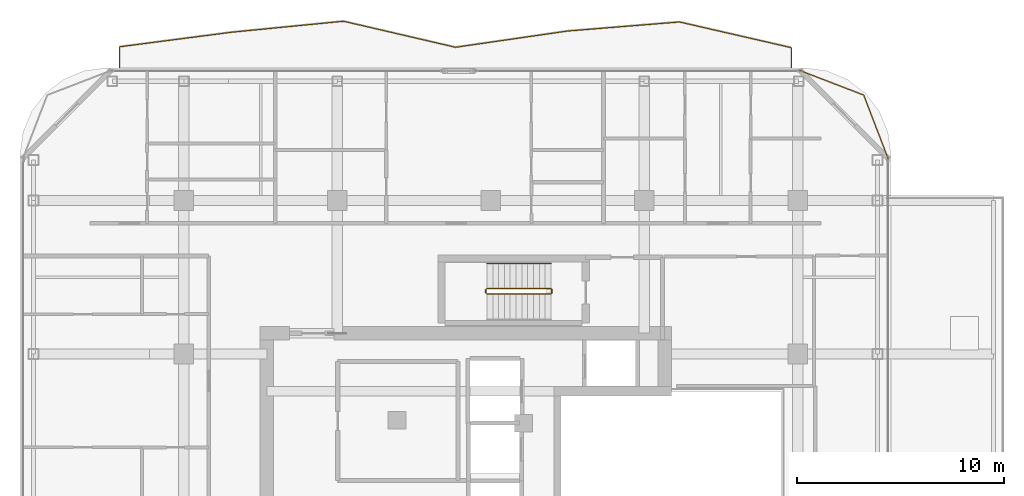
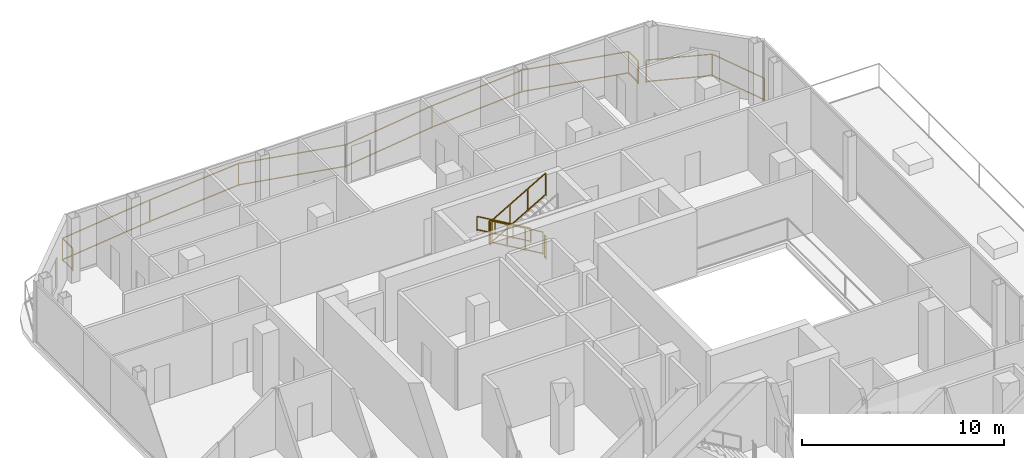
# One storey, part 24 of 24: 7 railings.
"""IFC4 building model written with IfcOpenShell, lengths in metres."""

from ifc_helpers import new_model, si_unit, direction, frame, origin, origin_2d, place, context, subcontext, project, spatial, rectangle, extrude, material, type_object, element, save


model = new_model("IFC4")

# Units and contexts
model_context = context("Model", 3, precision=1e-05, world=origin(), true_north=direction((0.0, 1.0)))
body_context = subcontext(model_context, "Body", "Model", "MODEL_VIEW")
ifc_project = project(units=[si_unit("LENGTHUNIT", "METRE"), si_unit("AREAUNIT", "SQUARE_METRE"), si_unit("VOLUMEUNIT", "CUBIC_METRE"), si_unit("PLANEANGLEUNIT", "RADIAN"), si_unit("MASSUNIT", "GRAM", prefix="KILO")], contexts=[model_context])

# Site, building, storey
site_placement = place(None, origin())
site = spatial("IfcSite", under=ifc_project, at=site_placement, CompositionType="ELEMENT")
building_placement = place(site_placement, origin())
building = spatial("IfcBuilding", under=site, at=building_placement, Name="Khorvyn Point Tower", CompositionType="ELEMENT")
storey_placement = place(building_placement, frame((0.0, 0.0, 285.89990234375)))
storey = spatial("IfcBuildingStorey", under=building, at=storey_placement, Name="L70", CompositionType="ELEMENT", Elevation=285.89990234375)

# Railings
ifc_material_1 = material(Name="Anodised aluminium 6063-T6 and laminated safety glass", Category="aluminium")
railing_type_1 = type_object("IfcRailingType", Name="Laminated Glass and Aluminium Balcony Guardrail 1400", PredefinedType="BALUSTRADE", material=ifc_material_1)
railing_1_placement = place(storey_placement, frame((19.17431640625, 16.78662109375, 0.0)))
element("IfcRailing", 1, at=railing_1_placement, inside=storey, type_object=railing_type_1, Name="L70 Rounded Corner Edge Guardrail NE", PredefinedType="BALUSTRADE", context=body_context, shape_type="SweptSolid", body=[
    extrude(rectangle(XDim=0.048095703125, YDim=0.048095703125, at=origin_2d()), frame((0.0, 0.0, 1.3759765625), z_axis=(-0.358328295484, 0.933595647299, 0.0), x_axis=(-0.933595647299, -0.358328295484, 0.0)), (0.0, 0.0, 1.0), 3.31884765625),
    extrude(rectangle(XDim=0.048095703125, YDim=0.048095703125, at=origin_2d()), frame((0.0, 0.0, 0.080078125), z_axis=(-0.358328295484, 0.933595647299, 0.0), x_axis=(-0.933595647299, -0.358328295484, 0.0)), (0.0, 0.0, 1.0), 3.31884765625),
    extrude(rectangle(XDim=0.048095703125, YDim=0.048095703125, at=origin_2d()), frame((-1.189208984375, 3.098388671875, 1.3759765625), z_axis=(-0.933580483903, 0.358367799998, 0.0), x_axis=(-0.358367799998, -0.933580483903, 0.0)), (0.0, 0.0, 1.0), 3.319091796875),
    extrude(rectangle(XDim=0.048095703125, YDim=0.048095703125, at=origin_2d()), frame((-1.189208984375, 3.098388671875, 0.080078125), z_axis=(-0.933580483903, 0.358367799998, 0.0), x_axis=(-0.358367799998, -0.933580483903, 0.0)), (0.0, 0.0, 1.0), 3.319091796875),
    extrude(rectangle(XDim=0.0419921875, YDim=0.0419921875, at=origin_2d()), origin(), (0.0, 0.0, 1.0), 1.351806640625),
    extrude(rectangle(XDim=0.0419921875, YDim=0.0419921875, at=origin_2d()), frame((-1.189208984375, 3.098388671875, 0.0)), (0.0, 0.0, 1.0), 1.351806640625),
    extrude(rectangle(XDim=0.0419921875, YDim=0.0419921875, at=origin_2d()), frame((-4.287841796875, 4.287841796875, 0.0)), (0.0, 0.0, 1.0), 1.351806640625),
])
railing_2_placement = place(storey_placement, frame((14.5, 21.199951171875, 0.0)))
element("IfcRailing", 2, at=railing_2_placement, inside=storey, type_object=railing_type_1, Name="L70 North Balcony Guardrail", PredefinedType="BALUSTRADE", context=body_context, shape_type="SweptSolid", body=[
    extrude(rectangle(XDim=0.048095703125, YDim=0.048095703125, at=origin_2d()), frame((0.0, 0.0, 1.3759765625), z_axis=(0.0, 1.0, 0.0), x_axis=(-1.0, 0.0, 0.0)), (0.0, 0.0, 1.0), 0.968017578125),
    extrude(rectangle(XDim=0.048095703125, YDim=0.048095703125, at=origin_2d()), frame((0.0, 0.0, 0.080078125), z_axis=(0.0, 1.0, 0.0), x_axis=(-1.0, 0.0, 0.0)), (0.0, 0.0, 1.0), 0.968017578125),
    extrude(rectangle(XDim=0.048095703125, YDim=0.048095703125, at=origin_2d()), frame((0.0, 0.968017578125, 1.3759765625), z_axis=(-0.974604637949, 0.223932578445, 0.0), x_axis=(-0.223932578445, -0.974604637949, 0.0)), (0.0, 0.0, 1.0), 5.54052734375),
    extrude(rectangle(XDim=0.048095703125, YDim=0.048095703125, at=origin_2d()), frame((0.0, 0.968017578125, 0.080078125), z_axis=(-0.974604637949, 0.223932578445, 0.0), x_axis=(-0.223932578445, -0.974604637949, 0.0)), (0.0, 0.0, 1.0), 5.54052734375),
    extrude(rectangle(XDim=0.048095703125, YDim=0.048095703125, at=origin_2d()), frame((-5.39990234375, 2.208740234375, 1.3759765625), z_axis=(-0.996730617582, -0.080796509667, 0.0), x_axis=(0.080796509667, -0.996730617582, 0.0)), (0.0, 0.0, 1.0), 5.41796875),
    extrude(rectangle(XDim=0.048095703125, YDim=0.048095703125, at=origin_2d()), frame((-5.39990234375, 2.208740234375, 0.080078125), z_axis=(-0.996730617582, -0.080796509667, 0.0), x_axis=(0.080796509667, -0.996730617582, 0.0)), (0.0, 0.0, 1.0), 5.41796875),
    extrude(rectangle(XDim=0.048095703125, YDim=0.048095703125, at=origin_2d()), frame((-10.800048828125, 1.77099609375, 1.3759765625), z_axis=(-0.989644760952, -0.143538312376, 0.0), x_axis=(0.143538312376, -0.989644760952, 0.0)), (0.0, 0.0, 1.0), 5.456298828125),
    extrude(rectangle(XDim=0.048095703125, YDim=0.048095703125, at=origin_2d()), frame((-10.800048828125, 1.77099609375, 0.080078125), z_axis=(-0.989644760952, -0.143538312376, 0.0), x_axis=(0.143538312376, -0.989644760952, 0.0)), (0.0, 0.0, 1.0), 5.456298828125),
    extrude(rectangle(XDim=0.048095703125, YDim=0.048095703125, at=origin_2d()), frame((-16.199951171875, 0.98779296875, 1.3759765625), z_axis=(-0.973988141336, 0.22659898618, 0.0), x_axis=(-0.22659898618, -0.973988141336, 0.0)), (0.0, 0.0, 1.0), 5.54443359375),
    extrude(rectangle(XDim=0.048095703125, YDim=0.048095703125, at=origin_2d()), frame((-16.199951171875, 0.98779296875, 0.080078125), z_axis=(-0.973988141336, 0.22659898618, 0.0), x_axis=(-0.22659898618, -0.973988141336, 0.0)), (0.0, 0.0, 1.0), 5.54443359375),
    extrude(rectangle(XDim=0.048095703125, YDim=0.048095703125, at=origin_2d()), frame((-21.60009765625, 2.244140625, 1.3759765625), z_axis=(-0.995221668741, -0.097641333808, 0.0), x_axis=(0.097641333808, -0.995221668741, 0.0)), (0.0, 0.0, 1.0), 5.42578125),
    extrude(rectangle(XDim=0.048095703125, YDim=0.048095703125, at=origin_2d()), frame((-21.60009765625, 2.244140625, 0.080078125), z_axis=(-0.995221668741, -0.097641333808, 0.0), x_axis=(0.097641333808, -0.995221668741, 0.0)), (0.0, 0.0, 1.0), 5.42578125),
    extrude(rectangle(XDim=0.048095703125, YDim=0.048095703125, at=origin_2d()), frame((-27.0, 1.71435546875, 1.3759765625), z_axis=(-0.991634626797, -0.129076593297, 0.0), x_axis=(0.129076593297, -0.991634626797, 0.0)), (0.0, 0.0, 1.0), 5.445556640625),
    extrude(rectangle(XDim=0.048095703125, YDim=0.048095703125, at=origin_2d()), frame((-27.0, 1.71435546875, 0.080078125), z_axis=(-0.991634626797, -0.129076593297, 0.0), x_axis=(0.129076593297, -0.991634626797, 0.0)), (0.0, 0.0, 1.0), 5.445556640625),
    extrude(rectangle(XDim=0.048095703125, YDim=0.048095703125, at=origin_2d()), frame((-32.39990234375, 1.011474609375, 1.3759765625), z_axis=(0.0, -1.0, 0.0), x_axis=(1.0, 0.0, 0.0)), (0.0, 0.0, 1.0), 1.011474609375),
    extrude(rectangle(XDim=0.048095703125, YDim=0.048095703125, at=origin_2d()), frame((-32.39990234375, 1.011474609375, 0.080078125), z_axis=(0.0, -1.0, 0.0), x_axis=(1.0, 0.0, 0.0)), (0.0, 0.0, 1.0), 1.011474609375),
    extrude(rectangle(XDim=0.0419921875, YDim=0.0419921875, at=origin_2d()), origin(), (0.0, 0.0, 1.0), 1.351806640625),
    extrude(rectangle(XDim=0.0419921875, YDim=0.0419921875, at=origin_2d()), frame((0.0, 0.968017578125, 0.0)), (0.0, 0.0, 1.0), 1.351806640625),
    extrude(rectangle(XDim=0.0419921875, YDim=0.0419921875, at=origin_2d()), frame((-5.39990234375, 2.208740234375, 0.0)), (0.0, 0.0, 1.0), 1.351806640625),
    extrude(rectangle(XDim=0.0419921875, YDim=0.0419921875, at=origin_2d()), frame((-10.800048828125, 1.77099609375, 0.0)), (0.0, 0.0, 1.0), 1.351806640625),
    extrude(rectangle(XDim=0.0419921875, YDim=0.0419921875, at=origin_2d()), frame((-16.199951171875, 0.98779296875, 0.0)), (0.0, 0.0, 1.0), 1.351806640625),
    extrude(rectangle(XDim=0.0419921875, YDim=0.0419921875, at=origin_2d()), frame((-21.60009765625, 2.244140625, 0.0)), (0.0, 0.0, 1.0), 1.351806640625),
    extrude(rectangle(XDim=0.0419921875, YDim=0.0419921875, at=origin_2d()), frame((-27.0, 1.71435546875, 0.0)), (0.0, 0.0, 1.0), 1.351806640625),
    extrude(rectangle(XDim=0.0419921875, YDim=0.0419921875, at=origin_2d()), frame((-32.39990234375, 1.011474609375, 0.0)), (0.0, 0.0, 1.0), 1.351806640625),
    extrude(rectangle(XDim=0.0419921875, YDim=0.0419921875, at=origin_2d()), frame((-32.39990234375, 0.0, 0.0)), (0.0, 0.0, 1.0), 1.351806640625),
])
ifc_material_2 = material(Name="Stainless steel 1.4301", Category="steel")
railing_type_2 = type_object("IfcRailingType", Name="Stainless Steel 304 Stair Pitch Handrail 900", PredefinedType="HANDRAIL", material=ifc_material_2)
railing_3_placement = place(storey_placement, frame((2.89990234375, 11.77001953125, 0.16259765625)))
element("IfcRailing", 3, at=railing_3_placement, inside=storey, type_object=railing_type_2, Name="L70 ST-02 stair handrail 1", PredefinedType="HANDRAIL", context=body_context, shape_type="SweptSolid", body=[
    extrude(rectangle(XDim=0.048095703125, YDim=0.048095703125, at=origin_2d()), frame((0.0, 0.0, 0.8759765625), z_axis=(-0.864873446163, 0.0, 0.501989962173), x_axis=(0.0, -1.0, 0.0)), (0.0, 0.0, 1.0), 3.56103515625),
    extrude(rectangle(XDim=0.048095703125, YDim=0.048095703125, at=origin_2d()), frame((0.0, 0.0, 0.080078125), z_axis=(-0.864873446163, 0.0, 0.501989962173), x_axis=(0.0, -1.0, 0.0)), (0.0, 0.0, 1.0), 3.56103515625),
    extrude(rectangle(XDim=0.0419921875, YDim=0.0419921875, at=origin_2d()), origin(), (0.0, 0.0, 1.0), 0.851806640625),
    extrude(rectangle(XDim=0.0419921875, YDim=0.0419921875, at=origin_2d()), frame((-1.026611328125, 0.0, 0.595947265625)), (0.0, 0.0, 1.0), 0.851806640625),
    extrude(rectangle(XDim=0.0419921875, YDim=0.0419921875, at=origin_2d()), frame((-2.05322265625, 0.0, 1.191650390625)), (0.0, 0.0, 1.0), 0.851806640625),
    extrude(rectangle(XDim=0.0419921875, YDim=0.0419921875, at=origin_2d()), frame((-3.079833984375, 0.0, 1.78759765625)), (0.0, 0.0, 1.0), 0.851806640625),
])
railing_type_3 = type_object("IfcRailingType", Name="Stainless Steel 304 Stair Well Guardrail 1400", PredefinedType="GUARDRAIL", material=ifc_material_2)
railing_4_placement = place(storey_placement, frame((2.89990234375, 10.550048828125, 0.16259765625)))
element("IfcRailing", 4, at=railing_4_placement, inside=storey, type_object=railing_type_3, Name="L70 ST-02 stair guard 1", PredefinedType="GUARDRAIL", context=body_context, shape_type="SweptSolid", body=[
    extrude(rectangle(XDim=0.048095703125, YDim=0.048095703125, at=origin_2d()), frame((0.0, 0.0, 1.3759765625), z_axis=(-0.864873446163, 0.0, 0.501989962173), x_axis=(0.0, -1.0, 0.0)), (0.0, 0.0, 1.0), 3.56103515625),
    extrude(rectangle(XDim=0.048095703125, YDim=0.048095703125, at=origin_2d()), frame((0.0, 0.0, 0.080078125), z_axis=(-0.864873446163, 0.0, 0.501989962173), x_axis=(0.0, -1.0, 0.0)), (0.0, 0.0, 1.0), 3.56103515625),
    extrude(rectangle(XDim=0.0419921875, YDim=0.0419921875, at=origin_2d()), origin(), (0.0, 0.0, 1.0), 1.351806640625),
    extrude(rectangle(XDim=0.0419921875, YDim=0.0419921875, at=origin_2d()), frame((-1.026611328125, 0.0, 0.595947265625)), (0.0, 0.0, 1.0), 1.351806640625),
    extrude(rectangle(XDim=0.0419921875, YDim=0.0419921875, at=origin_2d()), frame((-2.05322265625, 0.0, 1.191650390625)), (0.0, 0.0, 1.0), 1.351806640625),
    extrude(rectangle(XDim=0.0419921875, YDim=0.0419921875, at=origin_2d()), frame((-3.079833984375, 0.0, 1.78759765625)), (0.0, 0.0, 1.0), 1.351806640625),
])
railing_5_placement = place(storey_placement, frame((-0.22998046875, 10.5, 1.9501953125)))
element("IfcRailing", 5, at=railing_5_placement, inside=storey, type_object=railing_type_3, Name="L70 ST-02 stair guard 2", PredefinedType="GUARDRAIL", context=body_context, shape_type="SweptSolid", body=[
    extrude(rectangle(XDim=0.048095703125, YDim=0.048095703125, at=origin_2d()), frame((0.0, 0.0, 1.3759765625), z_axis=(0.0, -1.0, 0.0), x_axis=(1.0, 0.0, 0.0)), (0.0, 0.0, 1.0), 0.159912109375),
    extrude(rectangle(XDim=0.048095703125, YDim=0.048095703125, at=origin_2d()), frame((0.0, 0.0, 0.080078125), z_axis=(0.0, -1.0, 0.0), x_axis=(1.0, 0.0, 0.0)), (0.0, 0.0, 1.0), 0.159912109375),
    extrude(rectangle(XDim=0.0419921875, YDim=0.0419921875, at=origin_2d()), origin(), (0.0, 0.0, 1.0), 1.351806640625),
    extrude(rectangle(XDim=0.0419921875, YDim=0.0419921875, at=origin_2d()), frame((0.0, -0.159912109375, 0.0)), (0.0, 0.0, 1.0), 1.351806640625),
])
railing_6_placement = place(storey_placement, frame((-0.179931640625, 10.2900390625, 2.112548828125)))
element("IfcRailing", 6, at=railing_6_placement, inside=storey, type_object=railing_type_3, Name="L70 ST-02 stair guard 3", PredefinedType="GUARDRAIL", context=body_context, shape_type="SweptSolid", body=[
    extrude(rectangle(XDim=0.048095703125, YDim=0.048095703125, at=origin_2d()), frame((0.0, 0.0, 1.3759765625), z_axis=(0.864873446163, 0.0, 0.501989962173), x_axis=(0.0, 1.0, 0.0)), (0.0, 0.0, 1.0), 3.56103515625),
    extrude(rectangle(XDim=0.048095703125, YDim=0.048095703125, at=origin_2d()), frame((0.0, 0.0, 0.080078125), z_axis=(0.864873446163, 0.0, 0.501989962173), x_axis=(0.0, 1.0, 0.0)), (0.0, 0.0, 1.0), 3.56103515625),
    extrude(rectangle(XDim=0.0419921875, YDim=0.0419921875, at=origin_2d()), origin(), (0.0, 0.0, 1.0), 1.351806640625),
    extrude(rectangle(XDim=0.0419921875, YDim=0.0419921875, at=origin_2d()), frame((1.026611328125, 0.0, 0.595947265625)), (0.0, 0.0, 1.0), 1.351806640625),
    extrude(rectangle(XDim=0.0419921875, YDim=0.0419921875, at=origin_2d()), frame((2.05322265625, 0.0, 1.191650390625)), (0.0, 0.0, 1.0), 1.351806640625),
    extrude(rectangle(XDim=0.0419921875, YDim=0.0419921875, at=origin_2d()), frame((3.079833984375, 0.0, 1.78759765625)), (0.0, 0.0, 1.0), 1.351806640625),
])
railing_7_placement = place(storey_placement, frame((2.949951171875, 10.5, 0.0)))
element("IfcRailing", 7, at=railing_7_placement, inside=storey, type_object=railing_type_3, Name="L70 ST-02 stair guard 4", PredefinedType="GUARDRAIL", context=body_context, shape_type="SweptSolid", body=[
    extrude(rectangle(XDim=0.048095703125, YDim=0.048095703125, at=origin_2d()), frame((0.0, 0.0, 1.3759765625), z_axis=(0.0, -1.0, 0.0), x_axis=(1.0, 0.0, 0.0)), (0.0, 0.0, 1.0), 0.159912109375),
    extrude(rectangle(XDim=0.048095703125, YDim=0.048095703125, at=origin_2d()), frame((0.0, 0.0, 0.080078125), z_axis=(0.0, -1.0, 0.0), x_axis=(1.0, 0.0, 0.0)), (0.0, 0.0, 1.0), 0.159912109375),
    extrude(rectangle(XDim=0.0419921875, YDim=0.0419921875, at=origin_2d()), origin(), (0.0, 0.0, 1.0), 1.351806640625),
    extrude(rectangle(XDim=0.0419921875, YDim=0.0419921875, at=origin_2d()), frame((0.0, -0.159912109375, 0.0)), (0.0, 0.0, 1.0), 1.351806640625),
])

save(model, "model.ifc")
